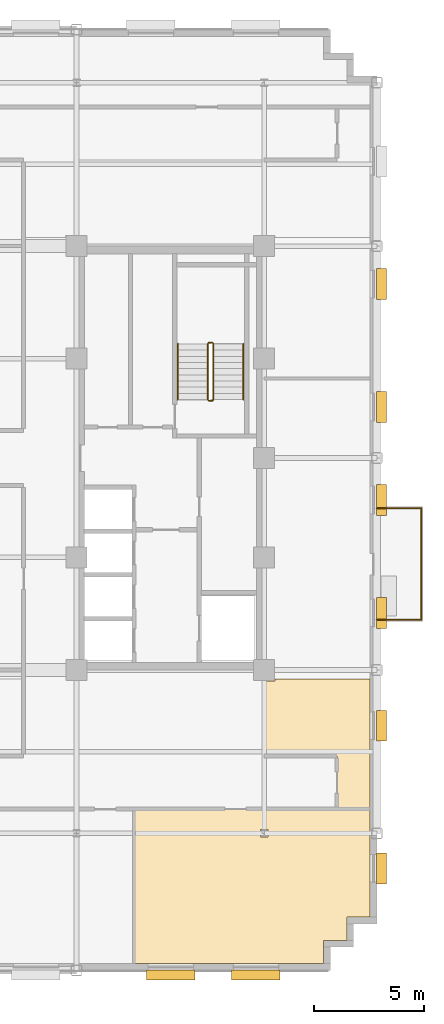
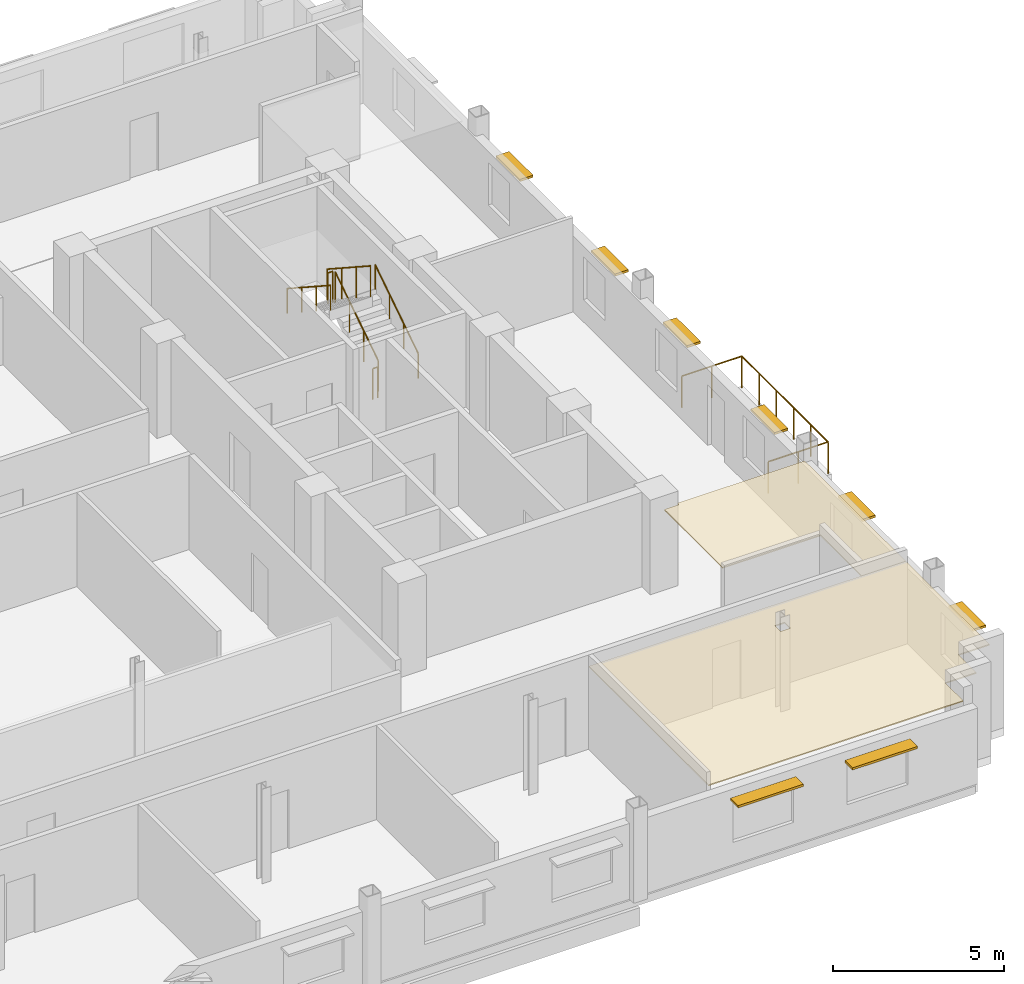
# One storey, part 14 of 15: 8 shading devices, 7 railings, 2 coverings.
"""IFC4 building model written with IfcOpenShell, lengths in metres."""

from ifc_helpers import new_model, si_unit, direction, frame, origin, origin_2d, place, context, subcontext, project, spatial, polyline, rectangle, circle, outline, extrude, source, transform, mapped, material, layer, layer_set, type_object, type_shapes, element, save


model = new_model("IFC4")

# Units and contexts
model_context = context("Model", 3, precision=1e-05, world=origin(), true_north=direction((0.0, 1.0)))
body_context = subcontext(model_context, "Body", "Model", "MODEL_VIEW")
ifc_project = project(units=[si_unit("LENGTHUNIT", "METRE"), si_unit("AREAUNIT", "SQUARE_METRE"), si_unit("VOLUMEUNIT", "CUBIC_METRE"), si_unit("PLANEANGLEUNIT", "RADIAN"), si_unit("MASSUNIT", "GRAM", prefix="KILO")], contexts=[model_context])

# Site, building, storey
site_placement = place(None, origin())
site = spatial("IfcSite", under=ifc_project, at=site_placement, CompositionType="ELEMENT")
building_placement = place(site_placement, origin())
building = spatial("IfcBuilding", under=site, at=building_placement, Name="Nuvemarco Arch Tower", CompositionType="ELEMENT")
storey_placement = place(building_placement, frame((0.0, 0.0, 190.89990234375)))
storey = spatial("IfcBuildingStorey", under=building, at=storey_placement, Name="L50", CompositionType="ELEMENT", Elevation=190.89990234375)

# Coverings
ifc_material_1 = material(Name="Mineral acoustic ceiling tile")
ifc_layer = layer(ifc_material_1, 0.0400390625, Name="COV-ACOUSTIC-CLG")
ifc_layer_set = layer_set([ifc_layer], Name="Mineral acoustic ceiling tile")
covering_type = type_object("IfcCoveringType", Name="COV-ACOUSTIC-CLG", PredefinedType="CEILING", material=ifc_layer_set)
covering_1_placement = place(storey_placement, frame((0.0, 0.0, 2.85009765625)))
element("IfcCovering", 1, at=covering_1_placement, inside=storey, type_object=covering_type, Name="L50 suspended acoustic ceiling 2", PredefinedType="CEILING", context=body_context, shape_type="SweptSolid", body=[
    extrude(outline(polyline([(17.5, -10.090087890625), (17.989990234375, -10.090087890625), (17.989990234375, -10.0), (22.2900390625, -10.0), (22.2900390625, -15.89990234375), (20.800048828125, -15.89990234375), (20.800048828125, -13.5), (17.5, -13.5), (17.5, -10.090087890625)])), origin(), (0.0, 0.0, 1.0), 0.0400390625),
])
covering_2_placement = place(storey_placement, frame((0.0, 0.0, 2.85009765625)))
element("IfcCovering", 2, at=covering_2_placement, inside=storey, type_object=covering_type, Name="L50 suspended acoustic ceiling 4", PredefinedType="CEILING", context=body_context, shape_type="SweptSolid", body=[
    extrude(outline(polyline([(20.18994140625, -22.889892578125), (11.60009765625, -22.889892578125), (11.60009765625, -15.89990234375), (20.800048828125, -15.89990234375), (22.2900390625, -15.89990234375), (22.2900390625, -20.7900390625), (21.239990234375, -20.7900390625), (21.239990234375, -21.840087890625), (20.18994140625, -21.840087890625), (20.18994140625, -22.889892578125)]), holes=[polyline([(17.669921875, -17.169921875), (17.669921875, -16.830078125), (17.330078125, -16.830078125), (17.330078125, -17.169921875), (17.669921875, -17.169921875)])]), origin(), (0.0, 0.0, 1.0), 0.0400390625),
])

# Railings
ifc_material_2 = material(Name="Brushed stainless steel handrail", Category="steel")
railing_type_1 = type_object("IfcRailingType", Name="RL-HANDRAIL-900", PredefinedType="HANDRAIL", material=ifc_material_2)
railing_1_placement = place(storey_placement, frame((16.550048828125, 2.64990234375, 0.1826171875)))
element("IfcRailing", 3, at=railing_1_placement, inside=storey, type_object=railing_type_1, Name="L50 ST-2 stair handrail 1", PredefinedType="HANDRAIL", context=body_context, shape_type="SweptSolid", body=[
    extrude(circle(Radius=0.02392578125, at=origin_2d()), frame((0.0, 0.0, 0.8759765625), z_axis=(0.0, 0.837749427056, 0.546054848405), x_axis=(-1.0, 0.0, 0.0)), (0.0, 0.0, 1.0), 3.008056640625),
    extrude(circle(Radius=0.02099609375, at=origin_2d()), origin(), (0.0, 0.0, 1.0), 0.851806640625),
    extrude(circle(Radius=0.02099609375, at=origin_2d()), frame((0.0, 0.840087890625, 0.547607421875)), (0.0, 0.0, 1.0), 0.851806640625),
    extrude(circle(Radius=0.02099609375, at=origin_2d()), frame((0.0, 1.679931640625, 1.094970703125)), (0.0, 0.0, 1.0), 0.851806640625),
    extrude(circle(Radius=0.02099609375, at=origin_2d()), frame((0.0, 2.52001953125, 1.642578125)), (0.0, 0.0, 1.0), 0.851806640625),
])
railing_2_placement = place(storey_placement, frame((13.590087890625, 5.169921875, 2.007568359375)))
element("IfcRailing", 4, at=railing_2_placement, inside=storey, type_object=railing_type_1, Name="L50 ST-2 stair handrail 2", PredefinedType="HANDRAIL", context=body_context, shape_type="SweptSolid", body=[
    extrude(circle(Radius=0.02392578125, at=origin_2d()), frame((0.0, 0.0, 0.8759765625), z_axis=(0.0, -0.837749427056, 0.546054848405), x_axis=(1.0, 0.0, 0.0)), (0.0, 0.0, 1.0), 3.008056640625),
    extrude(circle(Radius=0.02099609375, at=origin_2d()), origin(), (0.0, 0.0, 1.0), 0.851806640625),
    extrude(circle(Radius=0.02099609375, at=origin_2d()), frame((0.0, -0.840087890625, 0.547607421875)), (0.0, 0.0, 1.0), 0.851806640625),
    extrude(circle(Radius=0.02099609375, at=origin_2d()), frame((0.0, -1.679931640625, 1.094970703125)), (0.0, 0.0, 1.0), 0.851806640625),
    extrude(circle(Radius=0.02099609375, at=origin_2d()), frame((0.0, -2.52001953125, 1.642578125)), (0.0, 0.0, 1.0), 0.851806640625),
])
ifc_material_3 = material(Name="Painted balustrade steel S355", Category="steel")
railing_type_2 = type_object("IfcRailingType", Name="RL-STAIR-GUARD", PredefinedType="GUARDRAIL", material=ifc_material_3)
railing_3_placement = place(storey_placement, frame((15.199951171875, 2.64990234375, 0.1826171875)))
element("IfcRailing", 5, at=railing_3_placement, inside=storey, type_object=railing_type_2, Name="L50 ST-2 stair guard 1", PredefinedType="GUARDRAIL", context=body_context, shape_type="SweptSolid", body=[
    extrude(circle(Radius=0.02392578125, at=origin_2d()), frame((0.0, 0.0, 1.09619140625), z_axis=(0.0, 0.837749427056, 0.546054848405), x_axis=(-1.0, 0.0, 0.0)), (0.0, 0.0, 1.0), 3.008056640625),
    extrude(circle(Radius=0.02099609375, at=origin_2d()), origin(), (0.0, 0.0, 1.0), 1.072021484375),
    extrude(circle(Radius=0.02099609375, at=origin_2d()), frame((0.0, 0.840087890625, 0.547607421875)), (0.0, 0.0, 1.0), 1.072021484375),
    extrude(circle(Radius=0.02099609375, at=origin_2d()), frame((0.0, 1.679931640625, 1.094970703125)), (0.0, 0.0, 1.0), 1.072021484375),
    extrude(circle(Radius=0.02099609375, at=origin_2d()), frame((0.0, 2.52001953125, 1.642578125)), (0.0, 0.0, 1.0), 1.072021484375),
])
railing_4_placement = place(storey_placement, frame((15.14990234375, 5.219970703125, 1.8251953125)))
element("IfcRailing", 6, at=railing_4_placement, inside=storey, type_object=railing_type_2, Name="L50 ST-2 stair guard 2", PredefinedType="GUARDRAIL", context=body_context, shape_type="SweptSolid", body=[
    extrude(circle(Radius=0.02392578125, at=origin_2d()), frame((0.0, 0.0, 1.09619140625), z_axis=(-1.0, 0.0, 0.0), x_axis=(0.0, -1.0, 0.0)), (0.0, 0.0, 1.0), 0.159912109375),
    extrude(circle(Radius=0.02099609375, at=origin_2d()), origin(), (0.0, 0.0, 1.0), 1.072021484375),
    extrude(circle(Radius=0.02099609375, at=origin_2d()), frame((-0.159912109375, 0.0, 0.0)), (0.0, 0.0, 1.0), 1.072021484375),
])
railing_5_placement = place(storey_placement, frame((14.93994140625, 5.169921875, 2.007568359375)))
element("IfcRailing", 7, at=railing_5_placement, inside=storey, type_object=railing_type_2, Name="L50 ST-2 stair guard 3", PredefinedType="GUARDRAIL", context=body_context, shape_type="SweptSolid", body=[
    extrude(circle(Radius=0.02392578125, at=origin_2d()), frame((0.0, 0.0, 1.09619140625), z_axis=(0.0, -0.837749427056, 0.546054848405), x_axis=(1.0, 0.0, 0.0)), (0.0, 0.0, 1.0), 3.008056640625),
    extrude(circle(Radius=0.02099609375, at=origin_2d()), origin(), (0.0, 0.0, 1.0), 1.072021484375),
    extrude(circle(Radius=0.02099609375, at=origin_2d()), frame((0.0, -0.840087890625, 0.547607421875)), (0.0, 0.0, 1.0), 1.072021484375),
    extrude(circle(Radius=0.02099609375, at=origin_2d()), frame((0.0, -1.679931640625, 1.094970703125)), (0.0, 0.0, 1.0), 1.072021484375),
    extrude(circle(Radius=0.02099609375, at=origin_2d()), frame((0.0, -2.52001953125, 1.642578125)), (0.0, 0.0, 1.0), 1.072021484375),
])
railing_6_placement = place(storey_placement, frame((15.14990234375, 2.60009765625, 0.0)))
element("IfcRailing", 8, at=railing_6_placement, inside=storey, type_object=railing_type_2, Name="L50 ST-2 stair guard 4", PredefinedType="GUARDRAIL", context=body_context, shape_type="SweptSolid", body=[
    extrude(circle(Radius=0.02392578125, at=origin_2d()), frame((0.0, 0.0, 1.09619140625), z_axis=(-1.0, 0.0, 0.0), x_axis=(0.0, -1.0, 0.0)), (0.0, 0.0, 1.0), 0.159912109375),
    extrude(circle(Radius=0.02099609375, at=origin_2d()), origin(), (0.0, 0.0, 1.0), 1.072021484375),
    extrude(circle(Radius=0.02099609375, at=origin_2d()), frame((-0.159912109375, 0.0, 0.0)), (0.0, 0.0, 1.0), 1.072021484375),
])
ifc_material_4 = material(Name="Dark anodised balustrade steel S355", Category="steel")
railing_type_3 = type_object("IfcRailingType", Name="RL-TERR-GUARD", PredefinedType="BALUSTRADE", material=ifc_material_4)
railing_7_placement = place(storey_placement, frame((22.60009765625, -7.320068359375, 0.0)))
element("IfcRailing", 9, at=railing_7_placement, inside=storey, type_object=railing_type_3, Name="L50 tree balcony perimeter balustrade guard", PredefinedType="BALUSTRADE", context=body_context, shape_type="SweptSolid", body=[
    extrude(circle(Radius=0.02392578125, at=origin_2d()), frame((0.0, 0.0, 1.1259765625), z_axis=(1.0, 0.0, 0.0), x_axis=(0.0, 1.0, 0.0)), (0.0, 0.0, 1.0), 2.02001953125),
    extrude(circle(Radius=0.02392578125, at=origin_2d()), frame((2.02001953125, 0.0, 1.1259765625), z_axis=(0.0, 1.0, 0.0), x_axis=(-1.0, 0.0, 0.0)), (0.0, 0.0, 1.0), 5.0400390625),
    extrude(circle(Radius=0.02392578125, at=origin_2d()), frame((2.02001953125, 5.0400390625, 1.1259765625), z_axis=(-1.0, 0.0, 0.0), x_axis=(0.0, -1.0, 0.0)), (0.0, 0.0, 1.0), 2.02001953125),
    extrude(circle(Radius=0.02099609375, at=origin_2d()), origin(), (0.0, 0.0, 1.0), 1.101806640625),
    extrude(circle(Radius=0.02099609375, at=origin_2d()), frame((1.010009765625, 0.0, 0.0)), (0.0, 0.0, 1.0), 1.101806640625),
    extrude(circle(Radius=0.02099609375, at=origin_2d()), frame((2.02001953125, 0.0, 0.0)), (0.0, 0.0, 1.0), 1.101806640625),
    extrude(circle(Radius=0.02099609375, at=origin_2d()), frame((2.02001953125, 1.008056640625, 0.0)), (0.0, 0.0, 1.0), 1.101806640625),
    extrude(circle(Radius=0.02099609375, at=origin_2d()), frame((2.02001953125, 2.01611328125, 0.0)), (0.0, 0.0, 1.0), 1.101806640625),
    extrude(circle(Radius=0.02099609375, at=origin_2d()), frame((2.02001953125, 3.02392578125, 0.0)), (0.0, 0.0, 1.0), 1.101806640625),
    extrude(circle(Radius=0.02099609375, at=origin_2d()), frame((2.02001953125, 4.031982421875, 0.0)), (0.0, 0.0, 1.0), 1.101806640625),
    extrude(circle(Radius=0.02099609375, at=origin_2d()), frame((2.02001953125, 5.0400390625, 0.0)), (0.0, 0.0, 1.0), 1.101806640625),
    extrude(circle(Radius=0.02099609375, at=origin_2d()), frame((1.010009765625, 5.0400390625, 0.0)), (0.0, 0.0, 1.0), 1.101806640625),
    extrude(circle(Radius=0.02099609375, at=origin_2d()), frame((0.0, 5.0400390625, 0.0)), (0.0, 0.0, 1.0), 1.101806640625),
])

# Shading devices
ifc_material_5 = material(Name="Anodised aluminium 6063-T6", Category="aluminium")
shading_device_type_1 = type_object("IfcShadingDeviceType", Name="SHD-BRISE-SOLEIL", PredefinedType="USERDEFINED", material=ifc_material_5)
shared_shape_1 = source(origin(), body_context, "Body", "SweptSolid", [
    extrude(rectangle(XDim=2.199951171875, YDim=0.449951171875, at=origin_2d()), origin(), (0.0, 0.0, 1.0), 0.080078125),
])
type_shapes(shading_device_type_1, [shared_shape_1])
for number, where, z_axis, x_axis, name in (
    (10, (13.2666015625, -23.4150390625, 2.324951171875), (0.0, 0.0, 1.0), (1.0, 0.0, 0.0), "L50 horizontal brise-soleil sunshade"),
    (11, (17.122314453125, -23.4150390625, 2.324951171875), (0.0, 0.0, 1.0), (1.0, 0.0, 0.0), "L50 horizontal brise-soleil sunshade"),
):
    element("IfcShadingDevice", number, at=place(storey_placement, frame(where, z_axis=z_axis, x_axis=x_axis)), inside=storey, type_object=shading_device_type_1, Name=name, ObjectType="SUNSHADE", PredefinedType="USERDEFINED", context=body_context, shape_type="MappedRepresentation", body=[
        mapped(shared_shape_1, transform((0.0, 0.0, 0.0), scale=1.0)),
    ])
shading_device_type_2 = type_object("IfcShadingDeviceType", Name="SHD-BRISE-NARROW", PredefinedType="USERDEFINED", material=ifc_material_5)
shared_shape_2 = source(origin(), body_context, "Body", "SweptSolid", [
    extrude(rectangle(XDim=1.39990234375, YDim=0.449951171875, at=origin_2d()), origin(), (0.0, 0.0, 1.0), 0.080078125),
])
type_shapes(shading_device_type_2, [shared_shape_2])
for number, where, z_axis, x_axis, name in (
    (12, (22.81494140625, -18.587646484375, 2.324951171875), (0.0, 0.0, 1.0), (0.0, 1.0, 0.0), "L50 horizontal brise-soleil sunshade"),
    (13, (22.81494140625, -12.125, 2.324951171875), (0.0, 0.0, 1.0), (0.0, 1.0, 0.0), "L50 horizontal brise-soleil sunshade"),
    (14, (22.81494140625, -7.0126953125, 2.324951171875), (0.0, 0.0, 1.0), (0.0, 1.0, 0.0), "L50 horizontal brise-soleil sunshade"),
    (15, (22.81494140625, -1.89990234375, 2.324951171875), (0.0, 0.0, 1.0), (0.0, 1.0, 0.0), "L50 horizontal brise-soleil sunshade"),
    (16, (22.81494140625, 2.3125, 2.324951171875), (0.0, 0.0, 1.0), (0.0, 1.0, 0.0), "L50 horizontal brise-soleil sunshade"),
    (17, (22.81494140625, 7.875, 2.324951171875), (0.0, 0.0, 1.0), (0.0, 1.0, 0.0), "L50 horizontal brise-soleil sunshade"),
):
    element("IfcShadingDevice", number, at=place(storey_placement, frame(where, z_axis=z_axis, x_axis=x_axis)), inside=storey, type_object=shading_device_type_2, Name=name, ObjectType="SUNSHADE", PredefinedType="USERDEFINED", context=body_context, shape_type="MappedRepresentation", body=[
        mapped(shared_shape_2, transform((0.0, 0.0, 0.0), scale=1.0)),
    ])

save(model, "model.ifc")
